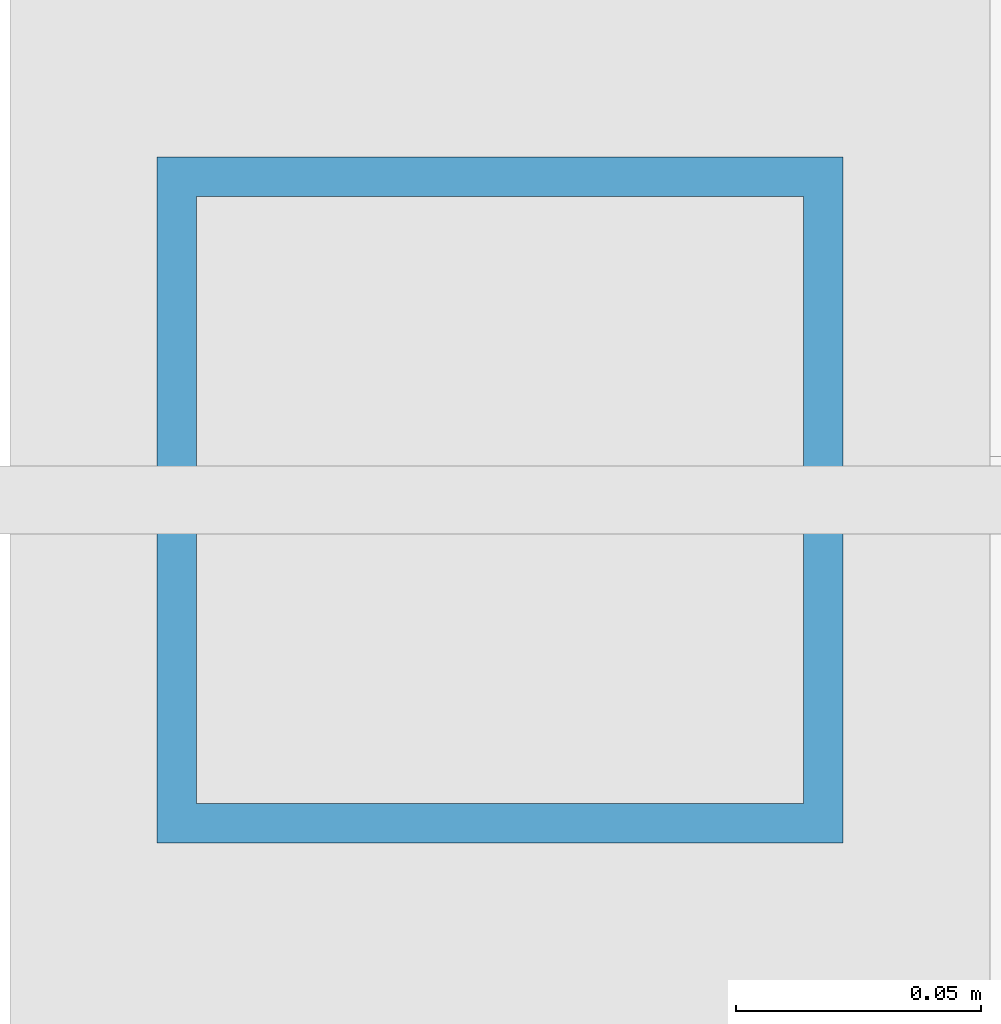
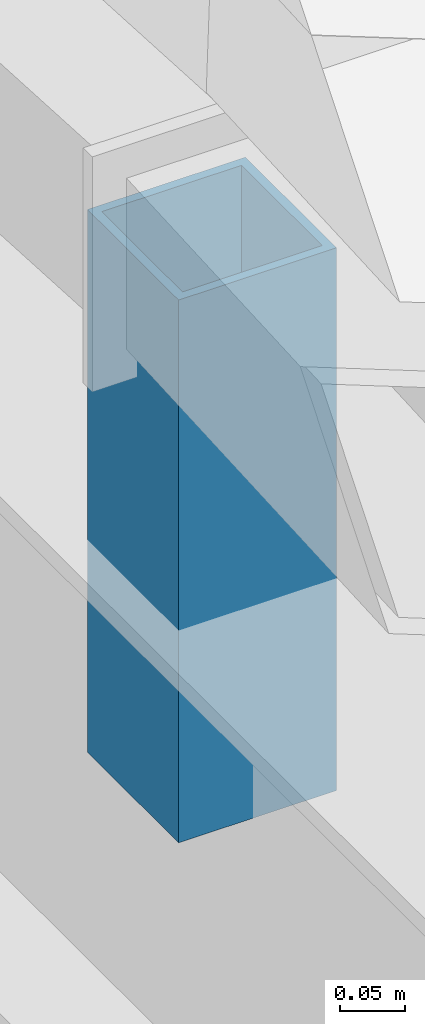
# One storey, part 2 of 13: 1 member.
"""IFC4 building model written with IfcOpenShell, lengths in metres."""

from ifc_helpers import new_model, si_unit, direction, frame, origin, origin_2d, place, context, subcontext, project, spatial, hollow_rectangle, extrude, material, material_profile, profile_set, type_object, element, save


model = new_model("IFC4")

# Units and contexts
model_context = context("Model", 3, precision=1e-05, world=origin(), true_north=direction((0.0, 1.0)))
body_context = subcontext(model_context, "Body", "Model", "MODEL_VIEW")
ifc_project = project(units=[si_unit("LENGTHUNIT", "METRE"), si_unit("AREAUNIT", "SQUARE_METRE"), si_unit("VOLUMEUNIT", "CUBIC_METRE"), si_unit("PLANEANGLEUNIT", "RADIAN"), si_unit("MASSUNIT", "GRAM", prefix="KILO")], contexts=[model_context])

# Site, building, storey
site_placement = place(None, origin())
site = spatial("IfcSite", under=ifc_project, at=site_placement, CompositionType="ELEMENT")
building_placement = place(site_placement, origin())
building = spatial("IfcBuilding", under=site, at=building_placement, Name="Celorna Specialist Clinic", CompositionType="ELEMENT")
storey_placement = place(building_placement, frame((0.0, 0.0, 27.300048828125)))
storey = spatial("IfcBuildingStorey", under=building, at=storey_placement, Name="RF", CompositionType="ELEMENT", Elevation=27.300048828125)

# Member
ifc_material = material(Name="Steel S355", Category="steel")
ifc_material_profile = material_profile(ifc_material, hollow_rectangle(XDim=0.139892578125, YDim=0.139892578125, WallThickness=0.008056640625, at=origin_2d()), Name="SHS 140x140x8")
ifc_profile_set = profile_set([ifc_material_profile], Name="Steel S355")
member_type = type_object("IfcMemberType", Name="MB-10", PredefinedType="CHORD", material=ifc_profile_set)
member_placement = place(storey_placement, frame((46.800048828125, 106.25, -0.25), z_axis=(0.0, 0.0, 1.0), x_axis=(1.0, 0.0, 0.0)))
element("IfcMember", 1, at=member_placement, inside=storey, type_object=member_type, Name="Roof ridge/eave support post ROOF-V4-SOUTH", PredefinedType="CHORD", context=body_context, shape_type="SweptSolid", body=[
    extrude(hollow_rectangle(XDim=0.139892578125, YDim=0.139892578125, WallThickness=0.008056640625, at=origin_2d()), origin(), (0.0, 0.0, 1.0), 0.508056640625),
])

save(model, "model.ifc")
